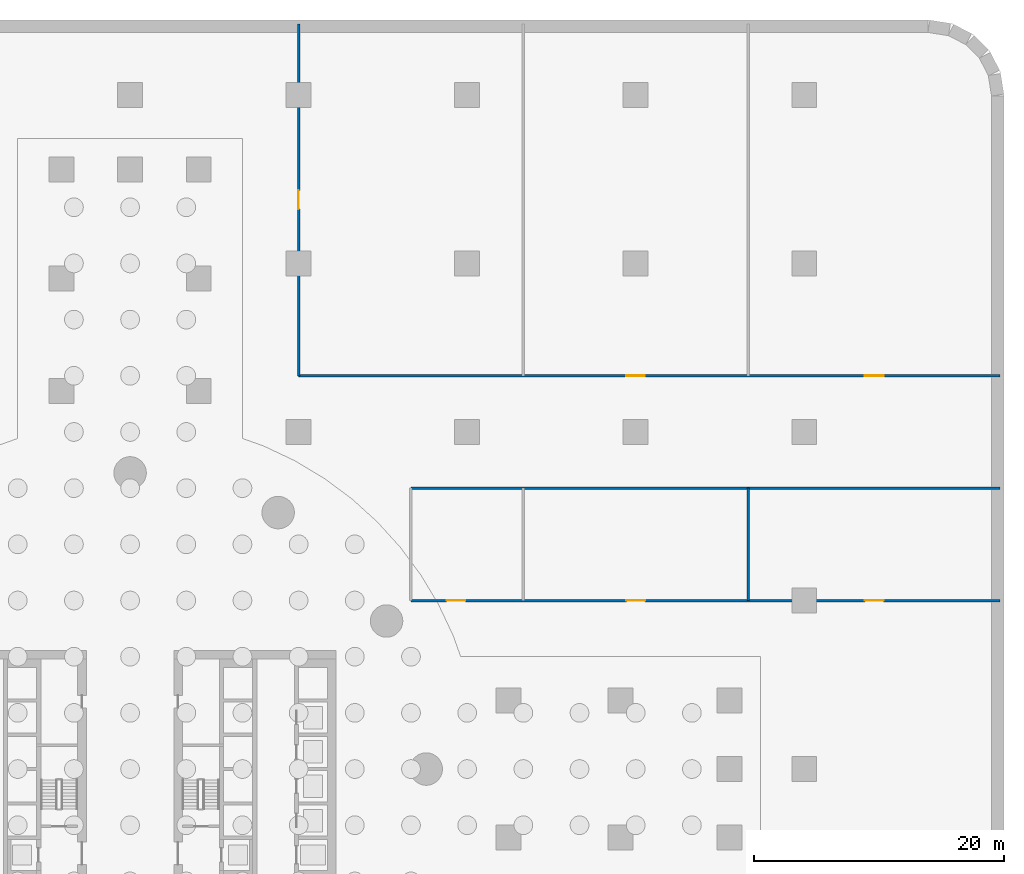
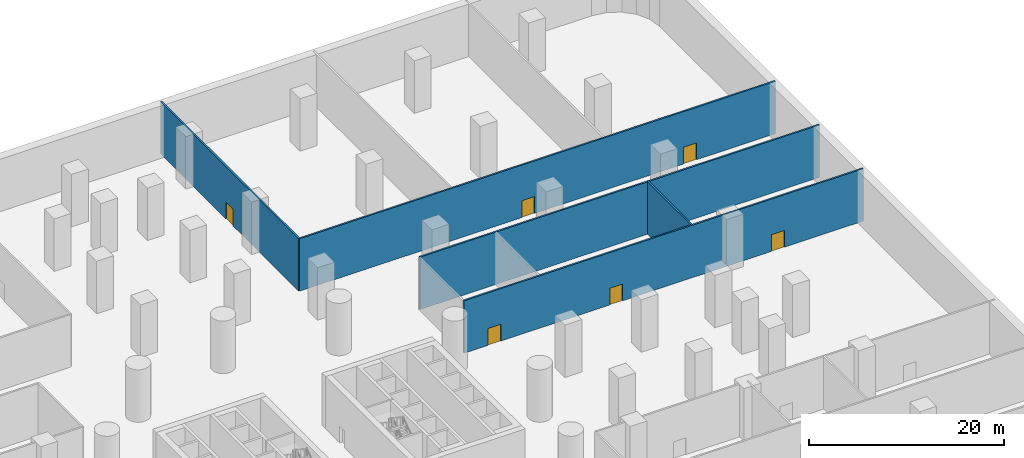
# One storey, part 9 of 13: 6 doors, 5 walls, 6 openings.
"""IFC4 building model written with IfcOpenShell, lengths in metres."""

from ifc_helpers import new_model, si_unit, direction, frame, frame_2d, origin, place, context, subcontext, project, spatial, rectangle, extrude, material, layer, layer_set, type_object, element, fill, save


model = new_model("IFC4")

# Units and contexts
model_context = context("Model", 3, precision=1e-05, world=origin(), true_north=direction((0.0, 1.0)))
body_context = subcontext(model_context, "Body", "Model", "MODEL_VIEW")
ifc_project = project(units=[si_unit("LENGTHUNIT", "METRE"), si_unit("AREAUNIT", "SQUARE_METRE"), si_unit("VOLUMEUNIT", "CUBIC_METRE"), si_unit("PLANEANGLEUNIT", "RADIAN"), si_unit("MASSUNIT", "GRAM", prefix="KILO")], contexts=[model_context])

# Site, building, storey
site_placement = place(None, origin())
site = spatial("IfcSite", under=ifc_project, at=site_placement, CompositionType="ELEMENT")
building_placement = place(site_placement, origin())
building = spatial("IfcBuilding", under=site, at=building_placement, Name="Tamarind Cross Interchange Tower", CompositionType="ELEMENT")
storey_placement = place(building_placement, frame((0.0, 0.0, -21.0)))
storey = spatial("IfcBuildingStorey", under=building, at=storey_placement, Name="B3", CompositionType="ELEMENT", Elevation=-21.0)

# Wall, openings, doors
ifc_material_1 = material(Name="Masonry partition, fire-rated", Category="masonry")
ifc_layer = layer(ifc_material_1, 0.199951171875)
ifc_layer_set = layer_set([ifc_layer], Name="Masonry partition, fire-rated")
wall_type = type_object("IfcWallType", Name="Fire partition 200 EI 120", PredefinedType="PARTITIONING", material=ifc_layer_set)
wall_1_placement = place(storey_placement, frame((13.5, 31.5, 0.0), z_axis=(0.0, 0.0, 1.0), x_axis=(1.0, 0.0, 0.0)))
wall_1 = element("IfcWall", 1, at=wall_1_placement, inside=storey, type_object=wall_type, Name="B3 partition 32", PredefinedType="PARTITIONING", context=body_context, shape_type="SweptSolid", body=[
    extrude(rectangle(XDim=56.198974609375, YDim=0.199951171875, at=frame_2d((28.099609375, 0.0))), origin(), (0.0, 0.0, 1.0), 6.550048828125),
])
opening_1_placement = place(wall_1_placement, frame((26.239990234375, 0.0, 0.0)))
opening_1 = element("IfcOpeningElement", 2, at=opening_1_placement, cuts=wall_1, Name="Opening DB3-07", PredefinedType="OPENING", context=body_context, shape_type="SweptSolid", body=[
    extrude(rectangle(XDim=1.5, YDim=2.10009765625, at=frame_2d((0.75, 1.050048828125))), frame((0.0, 0.10986328125, 0.0), z_axis=(0.0, -1.0, 0.0), x_axis=(1.0, 0.0, 0.0)), (0.0, 0.0, 1.0), 0.219970703125),
])
opening_2_placement = place(wall_1_placement, frame((45.360107421875, 0.0, 0.0)))
opening_2 = element("IfcOpeningElement", 3, at=opening_2_placement, cuts=wall_1, Name="Opening DB3-08", PredefinedType="OPENING", context=body_context, shape_type="SweptSolid", body=[
    extrude(rectangle(XDim=1.5, YDim=2.10009765625, at=frame_2d((0.75, 1.050048828125))), frame((0.0, 0.10986328125, 0.0), z_axis=(0.0, -1.0, 0.0), x_axis=(1.0, 0.0, 0.0)), (0.0, 0.0, 1.0), 0.219970703125),
])
ifc_material_2 = material(Name="Steel, fire-resisting", Category="steel")
door_type_1 = type_object("IfcDoorType", Name="Podium door 1500 x 2100 FD60", OperationType="SINGLE_SWING_LEFT", PredefinedType="DOOR", material=ifc_material_2)
door_1_placement = place(opening_1_placement, origin())
door_1 = element("IfcDoor", 4, at=door_1_placement, inside=storey, type_object=door_type_1, Name="B3 door Fire Pump Room B305", OperationType="SINGLE_SWING_LEFT", OverallHeight=2.10009765625, OverallWidth=1.5, PredefinedType="DOOR", context=body_context, shape_type="SweptSolid", body=[
    extrude(rectangle(XDim=1.5, YDim=2.10009765625, at=frame_2d((0.75, 1.050048828125))), frame((0.0, 0.02490234375, 0.0), z_axis=(0.0, -1.0, 0.0), x_axis=(1.0, 0.0, 0.0)), (0.0, 0.0, 1.0), 0.050048828125),
])
fill(opening_1, door_1)
door_type_2 = type_object("IfcDoorType", Name="Podium door 1500 x 2100 FD90", OperationType="SINGLE_SWING_LEFT", PredefinedType="DOOR", material=ifc_material_2)
door_2_placement = place(opening_2_placement, origin())
door_2 = element("IfcDoor", 5, at=door_2_placement, inside=storey, type_object=door_type_2, Name="B3 door Electrical Switch Room B306", OperationType="SINGLE_SWING_RIGHT", OverallHeight=2.10009765625, OverallWidth=1.5, PredefinedType="DOOR", context=body_context, shape_type="SweptSolid", body=[
    extrude(rectangle(XDim=1.5, YDim=2.10009765625, at=frame_2d((0.75, 1.050048828125))), frame((0.0, 0.02490234375, 0.0), z_axis=(0.0, -1.0, 0.0), x_axis=(1.0, 0.0, 0.0)), (0.0, 0.0, 1.0), 0.050048828125),
])
fill(opening_2, door_2)

# Wall, opening, door
wall_2_placement = place(storey_placement, frame((13.5, 31.5, 0.0), z_axis=(0.0, 0.0, 1.0), x_axis=(0.0, 1.0, 0.0)))
wall_2 = element("IfcWall", 6, at=wall_2_placement, inside=storey, type_object=wall_type, Name="B3 partition 33", PredefinedType="PARTITIONING", context=body_context, shape_type="SweptSolid", body=[
    extrude(rectangle(XDim=28.198974609375, YDim=0.199951171875, at=frame_2d((14.099609375, 0.0))), origin(), (0.0, 0.0, 1.0), 6.550048828125),
])
opening_3_placement = place(wall_2_placement, frame((13.35009765625, 0.0, 0.0)))
opening_3 = element("IfcOpeningElement", 7, at=opening_3_placement, cuts=wall_2, Name="Opening DB3-06", PredefinedType="OPENING", context=body_context, shape_type="SweptSolid", body=[
    extrude(rectangle(XDim=1.5, YDim=2.10009765625, at=frame_2d((0.75, 1.050048828125))), frame((0.0, 0.10986328125, 0.0), z_axis=(0.0, -1.0, 0.0), x_axis=(1.0, 0.0, 0.0)), (0.0, 0.0, 1.0), 0.219970703125),
])
door_3_placement = place(opening_3_placement, origin())
door_3 = element("IfcDoor", 8, at=door_3_placement, inside=storey, type_object=door_type_1, Name="B3 door Water Tank Room B304", OperationType="SINGLE_SWING_RIGHT", OverallHeight=2.10009765625, OverallWidth=1.5, PredefinedType="DOOR", context=body_context, shape_type="SweptSolid", body=[
    extrude(rectangle(XDim=1.5, YDim=2.10009765625, at=frame_2d((0.75, 1.050048828125))), frame((0.0, 0.02490234375, 0.0), z_axis=(0.0, -1.0, 0.0), x_axis=(1.0, 0.0, 0.0)), (0.0, 0.0, 1.0), 0.050048828125),
])
fill(opening_3, door_3)

# Wall, openings, doors
wall_3_placement = place(storey_placement, frame((22.5, 13.5, 0.0), z_axis=(0.0, 0.0, 1.0), x_axis=(1.0, 0.0, 0.0)))
wall_3 = element("IfcWall", 9, at=wall_3_placement, inside=storey, type_object=wall_type, Name="B3 partition 35", PredefinedType="PARTITIONING", context=body_context, shape_type="SweptSolid", body=[
    extrude(rectangle(XDim=47.198974609375, YDim=0.199951171875, at=frame_2d((23.599609375, 0.0))), origin(), (0.0, 0.0, 1.0), 6.550048828125),
])
opening_4_placement = place(wall_3_placement, frame((2.85791015625, 0.0, 0.0)))
opening_4 = element("IfcOpeningElement", 10, at=opening_4_placement, cuts=wall_3, Name="Opening DB3-03", PredefinedType="OPENING", context=body_context, shape_type="SweptSolid", body=[
    extrude(rectangle(XDim=1.5, YDim=2.10009765625, at=frame_2d((0.75, 1.050048828125))), frame((0.0, 0.10986328125, 0.0), z_axis=(0.0, -1.0, 0.0), x_axis=(1.0, 0.0, 0.0)), (0.0, 0.0, 1.0), 0.219970703125),
])
opening_5_placement = place(wall_3_placement, frame((17.25, 0.0, 0.0)))
opening_5 = element("IfcOpeningElement", 11, at=opening_5_placement, cuts=wall_3, Name="Opening DB3-04", PredefinedType="OPENING", context=body_context, shape_type="SweptSolid", body=[
    extrude(rectangle(XDim=1.5, YDim=2.10009765625, at=frame_2d((0.75, 1.050048828125))), frame((0.0, 0.10986328125, 0.0), z_axis=(0.0, -1.0, 0.0), x_axis=(1.0, 0.0, 0.0)), (0.0, 0.0, 1.0), 0.219970703125),
])
opening_6_placement = place(wall_3_placement, frame((36.35009765625, 0.0, 0.0)))
opening_6 = element("IfcOpeningElement", 12, at=opening_6_placement, cuts=wall_3, Name="Opening DB3-05", PredefinedType="OPENING", context=body_context, shape_type="SweptSolid", body=[
    extrude(rectangle(XDim=1.5, YDim=2.10009765625, at=frame_2d((0.75, 1.050048828125))), frame((0.0, 0.10986328125, 0.0), z_axis=(0.0, -1.0, 0.0), x_axis=(1.0, 0.0, 0.0)), (0.0, 0.0, 1.0), 0.219970703125),
])
door_4_placement = place(opening_5_placement, origin())
door_4 = element("IfcDoor", 13, at=door_4_placement, inside=storey, type_object=door_type_1, Name="B3 door Water Tank Room B302", OperationType="SINGLE_SWING_RIGHT", OverallHeight=2.10009765625, OverallWidth=1.5, PredefinedType="DOOR", context=body_context, shape_type="SweptSolid", body=[
    extrude(rectangle(XDim=1.5, YDim=2.10009765625, at=frame_2d((0.75, 1.050048828125))), frame((0.0, 0.02490234375, 0.0), z_axis=(0.0, -1.0, 0.0), x_axis=(1.0, 0.0, 0.0)), (0.0, 0.0, 1.0), 0.050048828125),
])
fill(opening_5, door_4)
door_5_placement = place(opening_6_placement, origin())
door_5 = element("IfcDoor", 14, at=door_5_placement, inside=storey, type_object=door_type_1, Name="B3 door Fire Pump Room B303", OperationType="SINGLE_SWING_LEFT", OverallHeight=2.10009765625, OverallWidth=1.5, PredefinedType="DOOR", context=body_context, shape_type="SweptSolid", body=[
    extrude(rectangle(XDim=1.5, YDim=2.10009765625, at=frame_2d((0.75, 1.050048828125))), frame((0.0, 0.02490234375, 0.0), z_axis=(0.0, -1.0, 0.0), x_axis=(1.0, 0.0, 0.0)), (0.0, 0.0, 1.0), 0.050048828125),
])
fill(opening_6, door_5)
door_6_placement = place(opening_4_placement, origin())
door_6 = element("IfcDoor", 15, at=door_6_placement, inside=storey, type_object=door_type_2, Name="B3 door Transformer Room B301", OperationType="SINGLE_SWING_LEFT", OverallHeight=2.10009765625, OverallWidth=1.5, PredefinedType="DOOR", context=body_context, shape_type="SweptSolid", body=[
    extrude(rectangle(XDim=1.5, YDim=2.10009765625, at=frame_2d((0.75, 1.050048828125))), frame((0.0, 0.02490234375, 0.0), z_axis=(0.0, -1.0, 0.0), x_axis=(1.0, 0.0, 0.0)), (0.0, 0.0, 1.0), 0.050048828125),
])
fill(opening_4, door_6)

# Walls
wall_4_placement = place(storey_placement, frame((22.5, 22.5, 0.0), z_axis=(0.0, 0.0, 1.0), x_axis=(1.0, 0.0, 0.0)))
element("IfcWall", 16, at=wall_4_placement, inside=storey, type_object=wall_type, Name="B3 partition 38", PredefinedType="PARTITIONING", context=body_context, shape_type="SweptSolid", body=[
    extrude(rectangle(XDim=47.198974609375, YDim=0.199951171875, at=frame_2d((23.599609375, 0.0))), origin(), (0.0, 0.0, 1.0), 6.550048828125),
])
wall_5_placement = place(storey_placement, frame((49.5, 13.5, 0.0), z_axis=(0.0, 0.0, 1.0), x_axis=(0.0, 1.0, 0.0)))
element("IfcWall", 17, at=wall_5_placement, inside=storey, type_object=wall_type, Name="B3 partition 46", PredefinedType="PARTITIONING", context=body_context, shape_type="SweptSolid", body=[
    extrude(rectangle(XDim=9.0, YDim=0.199951171875, at=frame_2d((4.5, 0.0))), origin(), (0.0, 0.0, 1.0), 6.550048828125),
])

save(model, "model.ifc")
